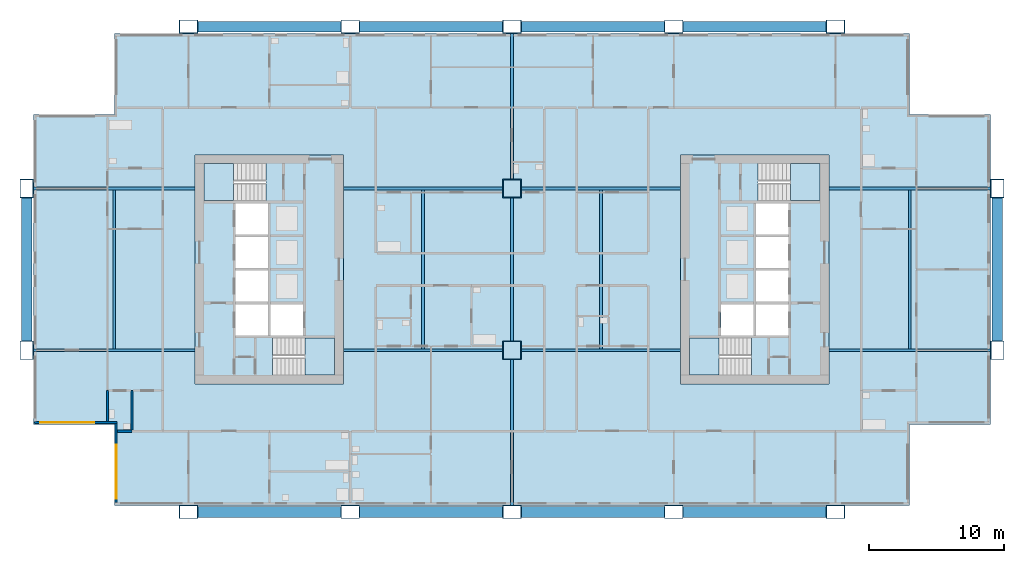
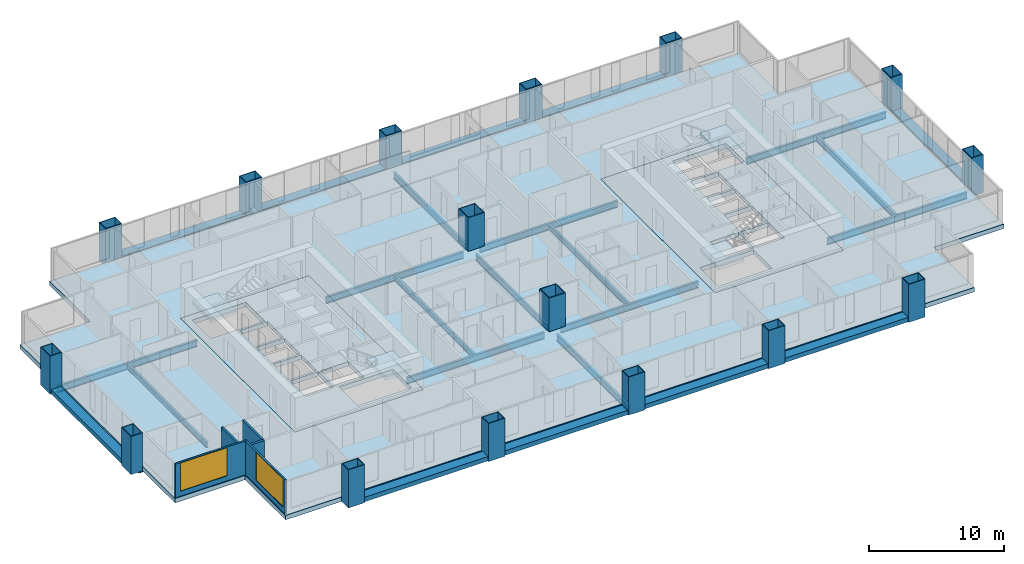
# One storey, part 1 of 13: 25 beams, 16 columns, 7 slabs, 5 walls, 2 windows, 2 openings, 4 elements without a shape of their own.
"""IFC4 building model written with IfcOpenShell, lengths in metres."""

from ifc_helpers import new_model, si_unit, direction, frame, frame_2d, origin, origin_2d, place, context, subcontext, project, spatial, polyline, rectangle, hollow_rectangle, i_section, outline, extrude, material, layer, layer_set, material_profile, profile_set, type_object, element, fill, aggregate, save


model = new_model("IFC4")

# Units and contexts
model_context = context("Model", 3, precision=1e-05, world=origin(), true_north=direction((0.0, 1.0)))
body_context = subcontext(model_context, "Body", "Model", "MODEL_VIEW")
ifc_project = project(units=[si_unit("LENGTHUNIT", "METRE"), si_unit("AREAUNIT", "SQUARE_METRE"), si_unit("VOLUMEUNIT", "CUBIC_METRE"), si_unit("PLANEANGLEUNIT", "RADIAN"), si_unit("MASSUNIT", "GRAM", prefix="KILO")], contexts=[model_context])

# Site, building, storey
site_placement = place(None, origin())
site = spatial("IfcSite", under=ifc_project, at=site_placement, CompositionType="ELEMENT")
building_placement = place(site_placement, origin())
building = spatial("IfcBuilding", under=site, at=building_placement, Name="Kitamizu Gate Tower and Museum", CompositionType="ELEMENT")
storey_placement = place(building_placement, frame((0.0, 0.0, 144.89990234375)))
storey = spatial("IfcBuildingStorey", under=building, at=storey_placement, Name="L38", CompositionType="ELEMENT", Elevation=144.89990234375)

# Columns
ifc_material_1 = material(Name="Steel SM490A bronze coated", Category="steel")
ifc_material_profile_1 = material_profile(ifc_material_1, hollow_rectangle(XDim=1.39990234375, YDim=1.0, WallThickness=0.054931640625, at=origin_2d()), Name="BOX 1400x1000x55")
ifc_profile_set_1 = profile_set([ifc_material_profile_1], Name="Steel SM490A bronze coated")
column_type_1 = type_object("IfcColumnType", Name="Exoskeleton column XC5 BOX 1400x1000x55", PredefinedType="COLUMN", material=ifc_profile_set_1)
for number, where, z_axis, x_axis, name in (
    (1, (0.0, 24.0, -0.39990234375), (0.0, 0.0, 1.0), (0.0, 1.0, 0.0), "Column XC5 1C L38"),
    (2, (0.0, 36.0, -0.39990234375), (0.0, 0.0, 1.0), (0.0, 1.0, 0.0), "Column XC5 1D L38"),
    (3, (12.0, 12.0, -0.39990234375), (0.0, 0.0, 1.0), (1.0, 0.0, 0.0), "Column XC5 2B L38"),
    (4, (12.0, 48.0, -0.39990234375), (0.0, 0.0, 1.0), (1.0, 0.0, 0.0), "Column XC5 2E L38"),
    (5, (24.0, 12.0, -0.39990234375), (0.0, 0.0, 1.0), (1.0, 0.0, 0.0), "Column XC5 3B L38"),
    (6, (24.0, 48.0, -0.39990234375), (0.0, 0.0, 1.0), (1.0, 0.0, 0.0), "Column XC5 3E L38"),
    (7, (36.0, 12.0, -0.39990234375), (0.0, 0.0, 1.0), (1.0, 0.0, 0.0), "Column XC5 4B L38"),
    (8, (36.0, 48.0, -0.39990234375), (0.0, 0.0, 1.0), (1.0, 0.0, 0.0), "Column XC5 4E L38"),
    (9, (48.0, 12.0, -0.39990234375), (0.0, 0.0, 1.0), (1.0, 0.0, 0.0), "Column XC5 5B L38"),
    (10, (48.0, 48.0, -0.39990234375), (0.0, 0.0, 1.0), (1.0, 0.0, 0.0), "Column XC5 5E L38"),
    (11, (60.0, 12.0, -0.39990234375), (0.0, 0.0, 1.0), (1.0, 0.0, 0.0), "Column XC5 6B L38"),
    (12, (60.0, 48.0, -0.39990234375), (0.0, 0.0, 1.0), (1.0, 0.0, 0.0), "Column XC5 6E L38"),
    (13, (72.0, 24.0, -0.39990234375), (0.0, 0.0, 1.0), (0.0, 1.0, 0.0), "Column XC5 7C L38"),
    (14, (72.0, 36.0, -0.39990234375), (0.0, 0.0, 1.0), (0.0, 1.0, 0.0), "Column XC5 7D L38"),
):
    element("IfcColumn", number, at=place(storey_placement, frame(where, z_axis=z_axis, x_axis=x_axis)), inside=storey, type_object=column_type_1, Name=name, PredefinedType="COLUMN", context=body_context, shape_type="SweptSolid", body=[
        extrude(hollow_rectangle(XDim=1.39990234375, YDim=1.0, WallThickness=0.054931640625, at=origin_2d()), origin(), (0.0, 0.0, 1.0), 3.449951171875),
    ])
ifc_material_2 = material(Name="Steel SM490A", Category="steel")
ifc_material_profile_2 = material_profile(ifc_material_2, hollow_rectangle(XDim=1.39990234375, YDim=1.39990234375, WallThickness=0.06005859375, at=origin_2d()), Name="BOX 1400x1400x60")
ifc_profile_set_2 = profile_set([ifc_material_profile_2], Name="Steel SM490A")
column_type_2 = type_object("IfcColumnType", Name="Interior column IC3 BOX 1400x1400x60", PredefinedType="COLUMN", material=ifc_profile_set_2)
for number, where, z_axis, x_axis, name in (
    (15, (36.0, 24.0, 0.0), (0.0, 0.0, 1.0), (1.0, 0.0, 0.0), "Column IC3 4C L38"),
    (16, (36.0, 36.0, 0.0), (0.0, 0.0, 1.0), (1.0, 0.0, 0.0), "Column IC3 4D L38"),
):
    element("IfcColumn", number, at=place(storey_placement, frame(where, z_axis=z_axis, x_axis=x_axis)), inside=storey, type_object=column_type_2, Name=name, PredefinedType="COLUMN", context=body_context, shape_type="SweptSolid", body=[
        extrude(hollow_rectangle(XDim=1.39990234375, YDim=1.39990234375, WallThickness=0.06005859375, at=origin_2d()), origin(), (0.0, 0.0, 1.0), 3.050048828125),
    ])

# Beams
ifc_material_3 = material(Name="Steel SM490A bronze coated", Category="steel")
ifc_material_profile_3 = material_profile(ifc_material_3, hollow_rectangle(XDim=0.800048828125, YDim=0.39990234375, WallThickness=0.0400390625, at=origin_2d()), Name="BOX 800x400x40")
ifc_profile_set_3 = profile_set([ifc_material_profile_3], Name="Steel SM490A bronze coated")
beam_type_1 = type_object("IfcBeamType", Name="Exoskeleton spandrel beam SB1 BOX 800x400x40", PredefinedType="SPANDREL", material=ifc_profile_set_3)
for number, where, z_axis, x_axis, name in (
    (17, (12.699951171875, 12.0, -0.199951171875), (1.0, 0.0, 0.0), (0.0, 1.0, 0.0), "Exoskeleton spandrel beam south 12 L38"),
    (18, (24.699951171875, 12.0, -0.199951171875), (1.0, 0.0, 0.0), (0.0, 1.0, 0.0), "Exoskeleton spandrel beam south 24 L38"),
    (19, (36.699951171875, 12.0, -0.199951171875), (1.0, 0.0, 0.0), (0.0, 1.0, 0.0), "Exoskeleton spandrel beam south 36 L38"),
    (20, (48.699951171875, 12.0, -0.199951171875), (1.0, 0.0, 0.0), (0.0, 1.0, 0.0), "Exoskeleton spandrel beam south 48 L38"),
    (21, (12.699951171875, 48.0, -0.199951171875), (1.0, 0.0, 0.0), (0.0, 1.0, 0.0), "Exoskeleton spandrel beam north 12 L38"),
    (22, (24.699951171875, 48.0, -0.199951171875), (1.0, 0.0, 0.0), (0.0, 1.0, 0.0), "Exoskeleton spandrel beam north 24 L38"),
    (23, (36.699951171875, 48.0, -0.199951171875), (1.0, 0.0, 0.0), (0.0, 1.0, 0.0), "Exoskeleton spandrel beam north 36 L38"),
    (24, (48.699951171875, 48.0, -0.199951171875), (1.0, 0.0, 0.0), (0.0, 1.0, 0.0), "Exoskeleton spandrel beam north 48 L38"),
    (25, (0.0, 24.699951171875, -0.199951171875), (0.0, 1.0, 0.0), (-1.0, 0.0, 0.0), "Exoskeleton spandrel beam west 24 L38"),
    (26, (72.0, 24.699951171875, -0.199951171875), (0.0, 1.0, 0.0), (-1.0, 0.0, 0.0), "Exoskeleton spandrel beam east 24 L38"),
):
    element("IfcBeam", number, at=place(storey_placement, frame(where, z_axis=z_axis, x_axis=x_axis)), inside=storey, type_object=beam_type_1, Name=name, PredefinedType="SPANDREL", context=body_context, shape_type="SweptSolid", body=[
        extrude(hollow_rectangle(XDim=0.800048828125, YDim=0.39990234375, WallThickness=0.0400390625, at=origin_2d()), origin(), (0.0, 0.0, 1.0), 10.60009765625),
    ])
ifc_material_4 = material(Name="Steel SM490A", Category="steel")
ifc_material_profile_4 = material_profile(ifc_material_4, i_section(OverallWidth=0.199951171875, OverallDepth=0.5, WebThickness=0.010009765625, FlangeThickness=0.01611328125, FilletRadius=0.02001953125, at=origin_2d()), Name="H-500x200x10x16")
ifc_profile_set_4 = profile_set([ifc_material_profile_4], Name="Steel SM490A")
beam_type_2 = type_object("IfcBeamType", Name="Floor beam FB1 H 500x200x10x16", PredefinedType="BEAM", material=ifc_profile_set_4)
for number, where, z_axis, x_axis, name in (
    (27, (6.5, 24.10009765625, -0.64990234375), (0.0, 1.0, 0.0), (-1.0, 0.0, 0.0), "Floor beam FB1 L38-1"),
    (28, (29.39990234375, 24.10009765625, -0.64990234375), (0.0, 1.0, 0.0), (-1.0, 0.0, 0.0), "Floor beam FB1 L38-2"),
    (29, (42.60009765625, 24.10009765625, -0.64990234375), (0.0, 1.0, 0.0), (-1.0, 0.0, 0.0), "Floor beam FB1 L38-3"),
    (30, (65.5, 24.10009765625, -0.64990234375), (0.0, 1.0, 0.0), (-1.0, 0.0, 0.0), "Floor beam FB1 L38-4"),
):
    element("IfcBeam", number, at=place(storey_placement, frame(where, z_axis=z_axis, x_axis=x_axis)), inside=storey, type_object=beam_type_2, Name=name, PredefinedType="BEAM", context=body_context, shape_type="SweptSolid", body=[
        extrude(i_section(OverallWidth=0.199951171875, OverallDepth=0.5, WebThickness=0.010009765625, FlangeThickness=0.01611328125, FilletRadius=0.02001953125, at=origin_2d()), origin(), (0.0, 0.0, 1.0), 11.7998046875),
    ])
ifc_material_5 = material(Name="Steel SM490A", Category="steel")
ifc_material_profile_5 = material_profile(ifc_material_5, i_section(OverallWidth=0.199951171875, OverallDepth=0.60009765625, WebThickness=0.010986328125, FlangeThickness=0.01708984375, FilletRadius=0.02197265625, at=origin_2d()), Name="H-600x200x11x17")
ifc_profile_set_5 = profile_set([ifc_material_profile_5], Name="Steel SM490A")
beam_type_3 = type_object("IfcBeamType", Name="Floor girder FG1 H 600x200x11x17", PredefinedType="BEAM", material=ifc_profile_set_5)
beam_1_placement = place(storey_placement, frame((36.0, 12.5, -0.699951171875), z_axis=(0.0, 1.0, 0.0), x_axis=(-1.0, 0.0, 0.0)))
element("IfcBeam", 31, at=beam_1_placement, inside=storey, type_object=beam_type_3, Name="Floor girder FG1 x36 L38", PredefinedType="BEAM", context=body_context, shape_type="SweptSolid", body=[
    extrude(i_section(OverallWidth=0.199951171875, OverallDepth=0.60009765625, WebThickness=0.010986328125, FlangeThickness=0.01708984375, FilletRadius=0.02197265625, at=origin_2d()), origin(), (0.0, 0.0, 1.0), 10.800048828125),
])
beam_2_placement = place(storey_placement, frame((36.0, 24.699951171875, -0.699951171875), z_axis=(0.0, 1.0, 0.0), x_axis=(-1.0, 0.0, 0.0)))
element("IfcBeam", 32, at=beam_2_placement, inside=storey, type_object=beam_type_3, Name="Floor girder FG1 x36 L38", PredefinedType="BEAM", context=body_context, shape_type="SweptSolid", body=[
    extrude(i_section(OverallWidth=0.199951171875, OverallDepth=0.60009765625, WebThickness=0.010986328125, FlangeThickness=0.01708984375, FilletRadius=0.02197265625, at=origin_2d()), origin(), (0.0, 0.0, 1.0), 10.60009765625),
])
beam_3_placement = place(storey_placement, frame((36.0, 36.699951171875, -0.699951171875), z_axis=(0.0, 1.0, 0.0), x_axis=(-1.0, 0.0, 0.0)))
element("IfcBeam", 33, at=beam_3_placement, inside=storey, type_object=beam_type_3, Name="Floor girder FG1 x36 L38", PredefinedType="BEAM", context=body_context, shape_type="SweptSolid", body=[
    extrude(i_section(OverallWidth=0.199951171875, OverallDepth=0.60009765625, WebThickness=0.010986328125, FlangeThickness=0.01708984375, FilletRadius=0.02197265625, at=origin_2d()), origin(), (0.0, 0.0, 1.0), 10.800048828125),
])
beam_4_placement = place(storey_placement, frame((0.5, 24.0, -0.699951171875), z_axis=(1.0, 0.0, 0.0), x_axis=(0.0, 1.0, 0.0)))
element("IfcBeam", 34, at=beam_4_placement, inside=storey, type_object=beam_type_3, Name="Floor girder FG1 y24 L38", PredefinedType="BEAM", context=body_context, shape_type="SweptSolid", body=[
    extrude(i_section(OverallWidth=0.199951171875, OverallDepth=0.60009765625, WebThickness=0.010986328125, FlangeThickness=0.01708984375, FilletRadius=0.02197265625, at=origin_2d()), origin(), (0.0, 0.0, 1.0), 12.0),
])
for number, where, z_axis, x_axis, name in (
    (35, (23.5, 24.0, -0.699951171875), (1.0, 0.0, 0.0), (0.0, 1.0, 0.0), "Floor girder FG1 y24 L38"),
    (36, (36.699951171875, 24.0, -0.699951171875), (1.0, 0.0, 0.0), (0.0, 1.0, 0.0), "Floor girder FG1 y24 L38"),
):
    element("IfcBeam", number, at=place(storey_placement, frame(where, z_axis=z_axis, x_axis=x_axis)), inside=storey, type_object=beam_type_3, Name=name, PredefinedType="BEAM", context=body_context, shape_type="SweptSolid", body=[
        extrude(i_section(OverallWidth=0.199951171875, OverallDepth=0.60009765625, WebThickness=0.010986328125, FlangeThickness=0.01708984375, FilletRadius=0.02197265625, at=origin_2d()), origin(), (0.0, 0.0, 1.0), 11.800048828125),
    ])
for number, where, z_axis, x_axis, name in (
    (37, (59.5, 24.0, -0.699951171875), (1.0, 0.0, 0.0), (0.0, 1.0, 0.0), "Floor girder FG1 y24 L38"),
    (38, (0.5, 36.0, -0.699951171875), (1.0, 0.0, 0.0), (0.0, 1.0, 0.0), "Floor girder FG1 y36 L38"),
):
    element("IfcBeam", number, at=place(storey_placement, frame(where, z_axis=z_axis, x_axis=x_axis)), inside=storey, type_object=beam_type_3, Name=name, PredefinedType="BEAM", context=body_context, shape_type="SweptSolid", body=[
        extrude(i_section(OverallWidth=0.199951171875, OverallDepth=0.60009765625, WebThickness=0.010986328125, FlangeThickness=0.01708984375, FilletRadius=0.02197265625, at=origin_2d()), origin(), (0.0, 0.0, 1.0), 12.0),
    ])
for number, where, z_axis, x_axis, name in (
    (39, (23.5, 36.0, -0.699951171875), (1.0, 0.0, 0.0), (0.0, 1.0, 0.0), "Floor girder FG1 y36 L38"),
    (40, (36.699951171875, 36.0, -0.699951171875), (1.0, 0.0, 0.0), (0.0, 1.0, 0.0), "Floor girder FG1 y36 L38"),
):
    element("IfcBeam", number, at=place(storey_placement, frame(where, z_axis=z_axis, x_axis=x_axis)), inside=storey, type_object=beam_type_3, Name=name, PredefinedType="BEAM", context=body_context, shape_type="SweptSolid", body=[
        extrude(i_section(OverallWidth=0.199951171875, OverallDepth=0.60009765625, WebThickness=0.010986328125, FlangeThickness=0.01708984375, FilletRadius=0.02197265625, at=origin_2d()), origin(), (0.0, 0.0, 1.0), 11.800048828125),
    ])
beam_5_placement = place(storey_placement, frame((59.5, 36.0, -0.699951171875), z_axis=(1.0, 0.0, 0.0), x_axis=(0.0, 1.0, 0.0)))
element("IfcBeam", 41, at=beam_5_placement, inside=storey, type_object=beam_type_3, Name="Floor girder FG1 y36 L38", PredefinedType="BEAM", context=body_context, shape_type="SweptSolid", body=[
    extrude(i_section(OverallWidth=0.199951171875, OverallDepth=0.60009765625, WebThickness=0.010986328125, FlangeThickness=0.01708984375, FilletRadius=0.02197265625, at=origin_2d()), origin(), (0.0, 0.0, 1.0), 12.0),
])

# Slabs
ifc_material_6 = material(Name="Concrete Fc36", Category="concrete")
ifc_layer_1 = layer(ifc_material_6, 0.39990234375)
ifc_layer_set_1 = layer_set([ifc_layer_1], Name="Concrete Fc36")
slab_type_1 = type_object("IfcSlabType", Name="Core floor slab 400", PredefinedType="FLOOR", material=ifc_layer_set_1)
slab_1_placement = place(storey_placement, frame((0.0, 0.0, -0.39990234375)))
element("IfcSlab", 42, at=slab_1_placement, inside=storey, type_object=slab_type_1, Name="Core floor slab W", PredefinedType="FLOOR", context=body_context, shape_type="SweptSolid", body=[
    extrude(outline(polyline([(12.5, 21.5), (23.5, 21.5), (23.5, 38.5), (12.5, 38.5), (12.5, 21.5)]), holes=[polyline([(15.5, 25.10009765625), (17.89990234375, 25.10009765625), (17.89990234375, 27.39990234375), (15.5, 27.39990234375), (15.5, 25.10009765625)]), polyline([(15.5, 27.60009765625), (17.89990234375, 27.60009765625), (17.89990234375, 29.89990234375), (15.5, 29.89990234375), (15.5, 27.60009765625)]), polyline([(15.5, 30.10009765625), (17.89990234375, 30.10009765625), (17.89990234375, 32.39990234375), (15.5, 32.39990234375), (15.5, 30.10009765625)]), polyline([(15.5, 32.60009765625), (17.89990234375, 32.60009765625), (17.89990234375, 34.89990234375), (15.5, 34.89990234375), (15.5, 32.60009765625)]), polyline([(18.10009765625, 25.10009765625), (20.5, 25.10009765625), (20.5, 27.39990234375), (18.10009765625, 27.39990234375), (18.10009765625, 25.10009765625)]), polyline([(18.25048828125, 22.14990234375), (22.85009765625, 22.14990234375), (22.85009765625, 24.89990234375), (18.25048828125, 24.89990234375), (18.25048828125, 22.14990234375)]), polyline([(13.14990234375, 35.10009765625), (17.74951171875, 35.10009765625), (17.74951171875, 37.85009765625), (13.14990234375, 37.85009765625), (13.14990234375, 35.10009765625)])]), origin(), (0.0, 0.0, 1.0), 0.39990234375),
])
slab_2_placement = place(storey_placement, frame((0.0, 0.0, -0.39990234375)))
element("IfcSlab", 43, at=slab_2_placement, inside=storey, type_object=slab_type_1, Name="Core floor slab E", PredefinedType="FLOOR", context=body_context, shape_type="SweptSolid", body=[
    extrude(outline(polyline([(48.5, 21.5), (59.5, 21.5), (59.5, 38.5), (48.5, 38.5), (48.5, 21.5)]), holes=[polyline([(54.10009765625, 25.10009765625), (56.5, 25.10009765625), (56.5, 27.39990234375), (54.10009765625, 27.39990234375), (54.10009765625, 25.10009765625)]), polyline([(54.10009765625, 27.60009765625), (56.5, 27.60009765625), (56.5, 29.89990234375), (54.10009765625, 29.89990234375), (54.10009765625, 27.60009765625)]), polyline([(54.10009765625, 30.10009765625), (56.5, 30.10009765625), (56.5, 32.39990234375), (54.10009765625, 32.39990234375), (54.10009765625, 30.10009765625)]), polyline([(54.10009765625, 32.60009765625), (56.5, 32.60009765625), (56.5, 34.89990234375), (54.10009765625, 34.89990234375), (54.10009765625, 32.60009765625)]), polyline([(51.5, 25.10009765625), (53.89990234375, 25.10009765625), (53.89990234375, 27.39990234375), (51.5, 27.39990234375), (51.5, 25.10009765625)]), polyline([(49.14990234375, 22.14990234375), (53.74951171875, 22.14990234375), (53.74951171875, 24.89990234375), (49.14990234375, 24.89990234375), (49.14990234375, 22.14990234375)]), polyline([(54.25048828125, 35.10009765625), (58.85009765625, 35.10009765625), (58.85009765625, 37.85009765625), (54.25048828125, 37.85009765625), (54.25048828125, 35.10009765625)])]), origin(), (0.0, 0.0, 1.0), 0.39990234375),
])
ifc_material_7 = material(Name="Concrete Fc36", Category="concrete")
ifc_layer_2 = layer(ifc_material_7, 0.39990234375)
ifc_layer_set_2 = layer_set([ifc_layer_2], Name="Concrete Fc36")
slab_type_2 = type_object("IfcSlabType", Name="Post tensioned flat slab 400", PredefinedType="FLOOR", material=ifc_layer_set_2)
slab_3_placement = place(storey_placement, frame((0.0, 0.0, -0.39990234375)))
element("IfcSlab", 44, at=slab_3_placement, inside=storey, type_object=slab_type_2, Name="Floor slab L38-1", PredefinedType="FLOOR", context=body_context, shape_type="SweptSolid", body=[
    extrude(outline(polyline([(0.5, 18.5), (0.5, 41.5), (6.5, 41.5), (6.5, 47.5), (65.5, 47.5), (65.5, 41.5), (71.5, 41.5), (71.5, 18.5), (65.5, 18.5), (65.5, 12.5), (6.5, 12.5), (6.5, 18.5), (0.5, 18.5)]), holes=[polyline([(59.5, 38.5), (48.5, 38.5), (48.5, 21.5), (59.5, 21.5), (59.5, 38.5)]), polyline([(12.5, 38.5), (12.5, 21.5), (23.5, 21.5), (23.5, 38.5), (12.5, 38.5)])]), origin(), (0.0, 0.0, 1.0), 0.39990234375),
])

# Stair, slab
ifc_material_8 = material(Name="Concrete Fc42", Category="concrete")
stair_type = type_object("IfcStairType", Name="Exit stair 1275 wide 192 rise 300 going", PredefinedType="HALF_TURN_STAIR", material=ifc_material_8)
stair_1_placement = place(storey_placement, origin())
stair_1 = element("IfcStair", 45, at=stair_1_placement, inside=storey, type_object=stair_type, Name="Exit stair ST1", PredefinedType="HALF_TURN_STAIR")
ifc_material_9 = material(Name="Concrete Fc42", Category="concrete")
ifc_layer_3 = layer(ifc_material_9, 0.300048828125)
ifc_layer_set_3 = layer_set([ifc_layer_3], Name="Concrete Fc42")
slab_type_3 = type_object("IfcSlabType", Name="Stair landing 300", PredefinedType="LANDING", material=ifc_layer_set_3)
slab_4_placement = place(storey_placement, frame((0.0, 0.0, 1.425048828125)))
slab_4 = element("IfcSlab", 46, at=slab_4_placement, type_object=slab_type_3, Name="ST1 landing 1", PredefinedType="LANDING", context=body_context, shape_type="SweptSolid", body=[
    extrude(outline(polyline([(20.64990234375, 22.14990234375), (22.85009765625, 22.14990234375), (22.85009765625, 24.89990234375), (20.64990234375, 24.89990234375), (20.64990234375, 22.14990234375)])), origin(), (0.0, 0.0, 1.0), 0.300048828125),
])
aggregate(stair_1, [slab_4])

stair_2_placement = place(storey_placement, origin())
stair_2 = element("IfcStair", 47, at=stair_2_placement, inside=storey, type_object=stair_type, Name="Exit stair ST2", PredefinedType="HALF_TURN_STAIR")
slab_5_placement = place(storey_placement, frame((0.0, 0.0, 1.425048828125)))
slab_5 = element("IfcSlab", 48, at=slab_5_placement, type_object=slab_type_3, Name="ST2 landing 1", PredefinedType="LANDING", context=body_context, shape_type="SweptSolid", body=[
    extrude(outline(polyline([(13.14990234375, 35.10009765625), (15.35009765625, 35.10009765625), (15.35009765625, 37.85009765625), (13.14990234375, 37.85009765625), (13.14990234375, 35.10009765625)])), origin(), (0.0, 0.0, 1.0), 0.300048828125),
])
aggregate(stair_2, [slab_5])

stair_3_placement = place(storey_placement, origin())
stair_3 = element("IfcStair", 49, at=stair_3_placement, inside=storey, type_object=stair_type, Name="Exit stair ST3", PredefinedType="HALF_TURN_STAIR")
slab_6_placement = place(storey_placement, frame((0.0, 0.0, 1.425048828125)))
slab_6 = element("IfcSlab", 50, at=slab_6_placement, type_object=slab_type_3, Name="ST3 landing 1", PredefinedType="LANDING", context=body_context, shape_type="SweptSolid", body=[
    extrude(outline(polyline([(49.14990234375, 22.14990234375), (51.35009765625, 22.14990234375), (51.35009765625, 24.89990234375), (49.14990234375, 24.89990234375), (49.14990234375, 22.14990234375)])), origin(), (0.0, 0.0, 1.0), 0.300048828125),
])
aggregate(stair_3, [slab_6])

stair_4_placement = place(storey_placement, origin())
stair_4 = element("IfcStair", 51, at=stair_4_placement, inside=storey, type_object=stair_type, Name="Exit stair ST4", PredefinedType="HALF_TURN_STAIR")
slab_7_placement = place(storey_placement, frame((0.0, 0.0, 1.425048828125)))
slab_7 = element("IfcSlab", 52, at=slab_7_placement, type_object=slab_type_3, Name="ST4 landing 1", PredefinedType="LANDING", context=body_context, shape_type="SweptSolid", body=[
    extrude(outline(polyline([(56.64990234375, 35.10009765625), (58.85009765625, 35.10009765625), (58.85009765625, 37.85009765625), (56.64990234375, 37.85009765625), (56.64990234375, 35.10009765625)])), origin(), (0.0, 0.0, 1.0), 0.300048828125),
])
aggregate(stair_4, [slab_7])

# Walls
ifc_material_10 = material(Name="Gypsum board on galvanised stud")
ifc_layer_4 = layer(ifc_material_10, 0.14990234375)
ifc_layer_set_4 = layer_set([ifc_layer_4], Name="Gypsum board on galvanised stud")
wall_type_1 = type_object("IfcWallType", Name="Partition 150", PredefinedType="PARTITIONING", material=ifc_layer_set_4)
wall_1_placement = place(storey_placement, frame((6.0, 18.719970703125, 0.0), z_axis=(0.0, 0.0, 1.0), x_axis=(0.0, 1.0, 0.0)))
element("IfcWall", 53, at=wall_1_placement, inside=storey, type_object=wall_type_1, Name="Partition L38-014", PredefinedType="PARTITIONING", context=body_context, shape_type="SweptSolid", body=[
    extrude(rectangle(XDim=2.280029296875, YDim=0.14990234375, at=frame_2d((1.14013671875, 0.0))), origin(), (0.0, 0.0, 1.0), 3.050048828125),
])
wall_2_placement = place(storey_placement, frame((7.800048828125, 18.10009765625, 0.0), z_axis=(0.0, 0.0, 1.0), x_axis=(0.0, 1.0, 0.0)))
element("IfcWall", 54, at=wall_2_placement, inside=storey, type_object=wall_type_1, Name="Partition L38-021", PredefinedType="PARTITIONING", context=body_context, shape_type="SweptSolid", body=[
    extrude(rectangle(XDim=2.89990234375, YDim=0.14990234375, at=frame_2d((1.449951171875, 0.0))), origin(), (0.0, 0.0, 1.0), 3.050048828125),
])
ifc_material_11 = material(Name="Gypsum board on galvanised stud")
ifc_layer_5 = layer(ifc_material_11, 0.199951171875)
ifc_layer_set_5 = layer_set([ifc_layer_5], Name="Gypsum board on galvanised stud")
wall_type_2 = type_object("IfcWallType", Name="Partition 200", PredefinedType="PARTITIONING", material=ifc_layer_set_5)
wall_3_placement = place(storey_placement, frame((7.800048828125, 18.0, 0.0), z_axis=(0.0, 0.0, 1.0), x_axis=(-1.0, 0.0, 0.0)))
element("IfcWall", 55, at=wall_3_placement, inside=storey, type_object=wall_type_2, Name="Partition L38-002", PredefinedType="PARTITIONING", context=body_context, shape_type="SweptSolid", body=[
    extrude(rectangle(XDim=1.080078125, YDim=0.199951171875, at=frame_2d((0.5400390625, 0.0))), origin(), (0.0, 0.0, 1.0), 3.050048828125),
])

# Wall, opening, window
ifc_material_12 = material(Name="Bronze anodised aluminium frame with insulated spandrel and tinted glass", Category="aluminium")
ifc_layer_6 = layer(ifc_material_12, 0.14990234375)
ifc_layer_set_6 = layer_set([ifc_layer_6], Name="Bronze anodised aluminium frame with insulated spandrel and tinted glass")
wall_type_3 = type_object("IfcWallType", Name="WINDOW WALL 150 BRONZE FRAME EI 30", PredefinedType="ELEMENTEDWALL", material=ifc_layer_set_6)
wall_4_placement = place(storey_placement, frame((0.56005859375, 18.635009765625, 0.0), z_axis=(0.0, 0.0, 1.0), x_axis=(1.0, 0.0, 0.0)))
wall_4 = element("IfcWall", 56, at=wall_4_placement, inside=storey, type_object=wall_type_3, Name="Window wall south L38", PredefinedType="ELEMENTEDWALL", context=body_context, shape_type="SweptSolid", body=[
    extrude(rectangle(XDim=6.14990234375, YDim=0.14990234375, at=frame_2d((3.074951171875, 0.0))), origin(), (0.0, 0.0, 1.0), 3.050048828125),
])
opening_1_placement = place(wall_4_placement, frame((0.43994140625, 0.0, 0.449951171875)))
opening_1 = element("IfcOpeningElement", 57, at=opening_1_placement, cuts=wall_4, Name="Opening W16", PredefinedType="OPENING", context=body_context, shape_type="SweptSolid", body=[
    extrude(rectangle(XDim=4.0, YDim=2.550048828125, at=frame_2d((2.0, 1.27490234375))), frame((0.0, 0.0849609375, 0.0), z_axis=(0.0, -1.0, 0.0), x_axis=(1.0, 0.0, 0.0)), (0.0, 0.0, 1.0), 0.169921875),
])
ifc_material_13 = material(Name="Bronze anodised aluminium frame, tinted triple glazing", Category="aluminium")
window_type = type_object("IfcWindowType", Name="WINDOW 4000 x 2550 SILL 450", PartitioningType="SINGLE_PANEL", PredefinedType="WINDOW", material=ifc_material_13)
window_1_placement = place(opening_1_placement, origin())
window_1 = element("IfcWindow", 58, at=window_1_placement, inside=storey, type_object=window_type, Name="Window W16 L38", OverallHeight=2.550048828125, OverallWidth=4.0, PartitioningType="SINGLE_PANEL", PredefinedType="WINDOW", context=body_context, shape_type="SweptSolid", body=[
    extrude(rectangle(XDim=4.0, YDim=2.550048828125, at=frame_2d((2.0, 1.27490234375))), frame((0.0, 0.030029296875, 0.0), z_axis=(0.0, -1.0, 0.0), x_axis=(1.0, 0.0, 0.0)), (0.0, 0.0, 1.0), 0.06005859375),
])
fill(opening_1, window_1)

wall_5_placement = place(storey_placement, frame((6.635009765625, 12.7099609375, 0.0), z_axis=(0.0, 0.0, 1.0), x_axis=(0.0, 1.0, 0.0)))
wall_5 = element("IfcWall", 59, at=wall_5_placement, inside=storey, type_object=wall_type_3, Name="Window wall west L38", PredefinedType="ELEMENTEDWALL", context=body_context, shape_type="SweptSolid", body=[
    extrude(rectangle(XDim=5.85009765625, YDim=0.14990234375, at=frame_2d((2.925048828125, 0.0))), origin(), (0.0, 0.0, 1.0), 3.050048828125),
])
opening_2_placement = place(wall_5_placement, frame((0.2900390625, 0.0, 0.449951171875)))
opening_2 = element("IfcOpeningElement", 60, at=opening_2_placement, cuts=wall_5, Name="Opening W16", PredefinedType="OPENING", context=body_context, shape_type="SweptSolid", body=[
    extrude(rectangle(XDim=4.0, YDim=2.550048828125, at=frame_2d((2.0, 1.27490234375))), frame((0.0, 0.0849609375, 0.0), z_axis=(0.0, -1.0, 0.0), x_axis=(1.0, 0.0, 0.0)), (0.0, 0.0, 1.0), 0.169921875),
])
window_2_placement = place(opening_2_placement, origin())
window_2 = element("IfcWindow", 61, at=window_2_placement, inside=storey, type_object=window_type, Name="Window W16 L38", OverallHeight=2.550048828125, OverallWidth=4.0, PartitioningType="SINGLE_PANEL", PredefinedType="WINDOW", context=body_context, shape_type="SweptSolid", body=[
    extrude(rectangle(XDim=4.0, YDim=2.550048828125, at=frame_2d((2.0, 1.27490234375))), frame((0.0, 0.030029296875, 0.0), z_axis=(0.0, -1.0, 0.0), x_axis=(1.0, 0.0, 0.0)), (0.0, 0.0, 1.0), 0.06005859375),
])
fill(opening_2, window_2)

save(model, "model.ifc")
